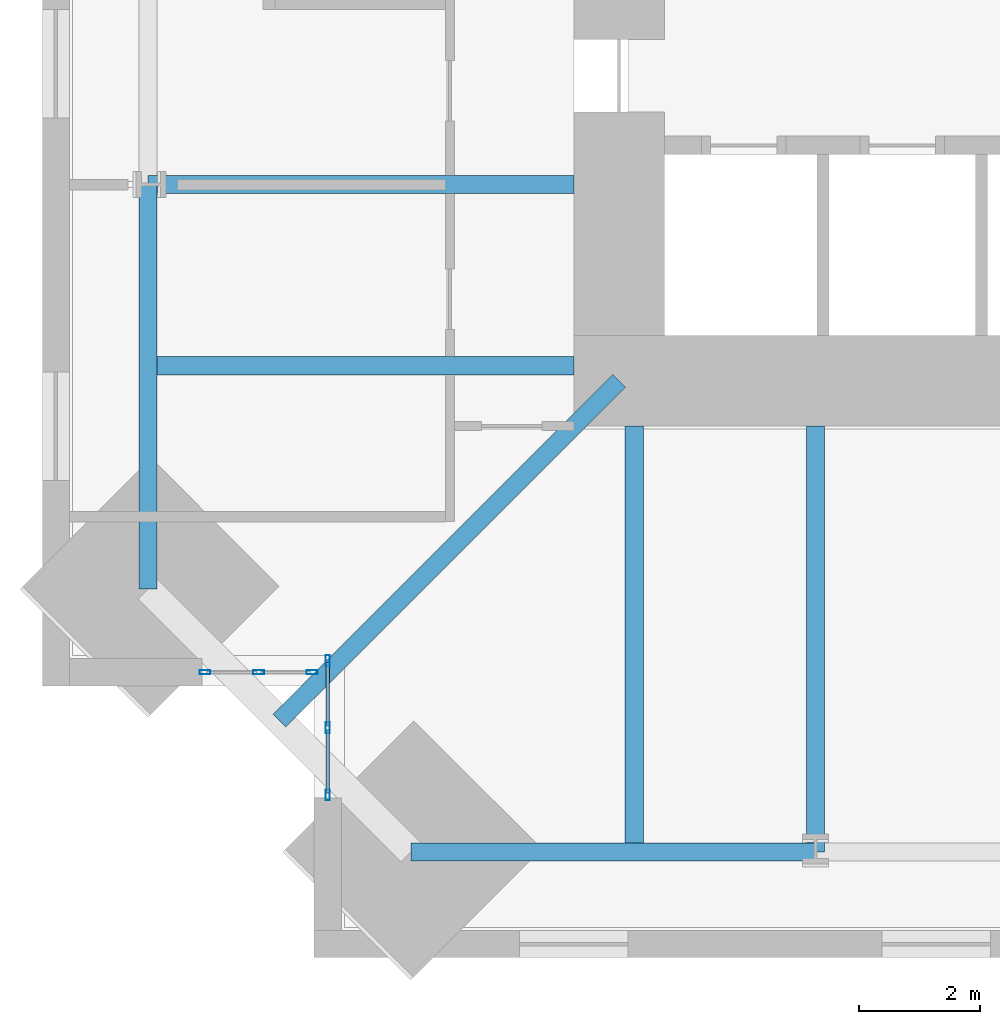
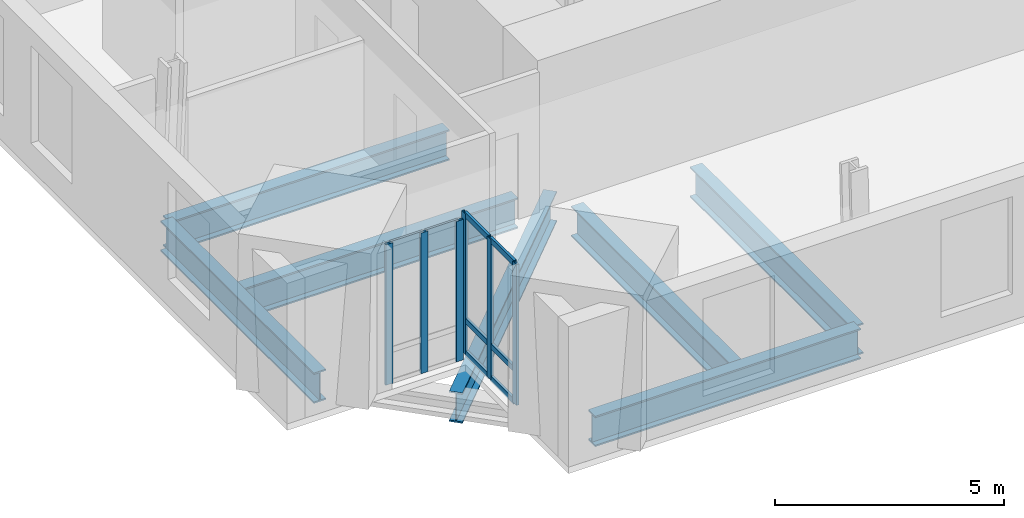
# One storey, part 2 of 15: 12 members, 7 beams, 2 elements without a shape of their own.
"""IFC4 building model written with IfcOpenShell, lengths in metres."""

from ifc_helpers import new_model, si_unit, direction, frame, origin, origin_2d, place, context, subcontext, project, spatial, hollow_rectangle, i_section, extrude, material, material_profile, profile_set, type_object, element, aggregate, save


model = new_model("IFC4")

# Units and contexts
model_context = context("Model", 3, precision=1e-05, world=origin(), true_north=direction((0.0, 1.0)))
body_context = subcontext(model_context, "Body", "Model", "MODEL_VIEW")
ifc_project = project(units=[si_unit("LENGTHUNIT", "METRE"), si_unit("AREAUNIT", "SQUARE_METRE"), si_unit("VOLUMEUNIT", "CUBIC_METRE"), si_unit("PLANEANGLEUNIT", "RADIAN"), si_unit("MASSUNIT", "GRAM", prefix="KILO")], contexts=[model_context])

# Site, building, storey
site_placement = place(None, origin())
site = spatial("IfcSite", under=ifc_project, at=site_placement, CompositionType="ELEMENT")
building_placement = place(site_placement, origin())
building = spatial("IfcBuilding", under=site, at=building_placement, Name="Peilmerk Tower", CompositionType="ELEMENT")
storey_placement = place(building_placement, frame((0.0, 0.0, 293.800048828125)))
storey = spatial("IfcBuildingStorey", under=building, at=storey_placement, Name="L66", CompositionType="ELEMENT", Elevation=293.800048828125)

# Beams
ifc_material_1 = material(Name="Steel S460", Category="steel")
ifc_material_profile_1 = material_profile(ifc_material_1, i_section(OverallWidth=0.302978515625, OverallDepth=0.81396484375, WebThickness=0.02099609375, FlangeThickness=0.0400390625, at=origin_2d()), Name="HEM 800")
ifc_profile_set_1 = profile_set([ifc_material_profile_1], Name="Steel S460")
beam_type_1 = type_object("IfcBeamType", Name="B26 HEM 800 floor beam", PredefinedType="BEAM", material=ifc_profile_set_1)
for number, where, z_axis, x_axis, name in (
    (1, (-11.0, -12.0, -0.5771484375), (0.0, -1.0, 0.0), (1.0, 0.0, 0.0), "Floor beam L66"),
    (2, (-8.0, -12.0, -0.5771484375), (0.0, -1.0, 0.0), (1.0, 0.0, 0.0), "Floor beam L66"),
    (3, (-12.0, -8.0, -0.5771484375), (-1.0, 0.0, 0.0), (0.0, -1.0, 0.0), "Floor beam L66"),
    (4, (-12.0, -11.0, -0.5771484375), (-1.0, 0.0, 0.0), (0.0, -1.0, 0.0), "Floor beam L66"),
):
    element("IfcBeam", number, at=place(storey_placement, frame(where, z_axis=z_axis, x_axis=x_axis)), inside=storey, type_object=beam_type_1, Name=name, PredefinedType="BEAM", context=body_context, shape_type="SweptSolid", body=[
        extrude(i_section(OverallWidth=0.302978515625, OverallDepth=0.81396484375, WebThickness=0.02099609375, FlangeThickness=0.0400390625, at=origin_2d()), origin(), (0.0, 0.0, 1.0), 7.050048828125),
    ])
beam_placement = place(storey_placement, frame((-11.25, -11.25, -0.5771484375), z_axis=(-0.707106781187, -0.707106781187, 0.0), x_axis=(0.707106781187, -0.707106781187, 0.0)))
element("IfcBeam", 5, at=beam_placement, inside=storey, type_object=beam_type_1, Name="Corner girder L66", PredefinedType="BEAM", context=body_context, shape_type="SweptSolid", body=[
    extrude(i_section(OverallWidth=0.302978515625, OverallDepth=0.81396484375, WebThickness=0.02099609375, FlangeThickness=0.0400390625, at=origin_2d()), origin(), (0.0, 0.0, 1.0), 7.954833984375),
])
ifc_material_profile_2 = material_profile(ifc_material_1, i_section(OverallWidth=0.302978515625, OverallDepth=0.81396484375, WebThickness=0.02099609375, FlangeThickness=0.0400390625, at=origin_2d()), Name="HEM 800")
ifc_profile_set_2 = profile_set([ifc_material_profile_2], Name="Steel S460")
beam_type_2 = type_object("IfcBeamType", Name="B35 HEM 800 edge beam", PredefinedType="SPANDREL", material=ifc_profile_set_2)
for number, where, z_axis, x_axis, name in (
    (6, (-14.699951171875, -19.050048828125, -0.5771484375), (1.0, 0.0, 0.0), (0.0, 1.0, 0.0), "Edge beam L66"),
    (7, (-19.050048828125, -8.0, -0.5771484375), (0.0, -1.0, 0.0), (1.0, 0.0, 0.0), "Edge beam L66"),
):
    element("IfcBeam", number, at=place(storey_placement, frame(where, z_axis=z_axis, x_axis=x_axis)), inside=storey, type_object=beam_type_2, Name=name, PredefinedType="SPANDREL", context=body_context, shape_type="SweptSolid", body=[
        extrude(i_section(OverallWidth=0.302978515625, OverallDepth=0.81396484375, WebThickness=0.02099609375, FlangeThickness=0.0400390625, at=origin_2d()), origin(), (0.0, 0.0, 1.0), 6.699951171875),
    ])

# Curtain wall, members
ifc_material_2 = material(Name="Aluminium stick curtain wall", Category="aluminium")
curtain_wall_type = type_object("IfcCurtainWallType", Name="CW4 stick curtain wall, 2250 module", PredefinedType="NOTDEFINED", material=ifc_material_2)
curtain_wall_1_placement = place(storey_placement, origin())
curtain_wall_1 = element("IfcCurtainWall", 8, at=curtain_wall_1_placement, inside=storey, type_object=curtain_wall_type, Name="Curtain wall CW4 SWA L66", PredefinedType="NOTDEFINED")
ifc_material_3 = material(Name="Aluminium EN AW-6063 T6", Category="aluminium")
ifc_material_profile_3 = material_profile(ifc_material_3, hollow_rectangle(XDim=0.06494140625, YDim=0.179931640625, WallThickness=0.0029296875, at=origin_2d()), Name="AL 180x65x3")
ifc_profile_set_3 = profile_set([ifc_material_profile_3], Name="Aluminium EN AW-6063 T6")
member_type_1 = type_object("IfcMemberType", Name="CW4-M AL 180x65x3 mullion", PredefinedType="MULLION", material=ifc_profile_set_3)
member_1_placement = place(storey_placement, frame((-16.074951171875, -15.882568359375, 0.0), z_axis=(0.0, 0.0, 1.0), x_axis=(1.0, 0.0, 0.0)))
member_1 = element("IfcMember", 9, at=member_1_placement, type_object=member_type_1, Name="CW4 mullion 1", PredefinedType="MULLION", context=body_context, shape_type="SweptSolid", body=[
    extrude(hollow_rectangle(XDim=0.06494140625, YDim=0.179931640625, WallThickness=0.0029296875, at=origin_2d()), origin(), (0.0, 0.0, 1.0), 3.75),
])
member_2_placement = place(storey_placement, frame((-16.074951171875, -16.994384765625, 0.0), z_axis=(0.0, 0.0, 1.0), x_axis=(1.0, 0.0, 0.0)))
member_2 = element("IfcMember", 10, at=member_2_placement, type_object=member_type_1, Name="CW4 mullion 2", PredefinedType="MULLION", context=body_context, shape_type="SweptSolid", body=[
    extrude(hollow_rectangle(XDim=0.06494140625, YDim=0.179931640625, WallThickness=0.0029296875, at=origin_2d()), origin(), (0.0, 0.0, 1.0), 3.75),
])
member_3_placement = place(storey_placement, frame((-16.074951171875, -18.106201171875, 0.0), z_axis=(0.0, 0.0, 1.0), x_axis=(1.0, 0.0, 0.0)))
member_3 = element("IfcMember", 11, at=member_3_placement, type_object=member_type_1, Name="CW4 mullion 3", PredefinedType="MULLION", context=body_context, shape_type="SweptSolid", body=[
    extrude(hollow_rectangle(XDim=0.06494140625, YDim=0.179931640625, WallThickness=0.0029296875, at=origin_2d()), origin(), (0.0, 0.0, 1.0), 3.75),
])

curtain_wall_2_placement = place(storey_placement, origin())
curtain_wall_2 = element("IfcCurtainWall", 12, at=curtain_wall_2_placement, inside=storey, type_object=curtain_wall_type, Name="Curtain wall CW4 SWB L66", PredefinedType="NOTDEFINED")
member_4_placement = place(storey_placement, frame((-16.33251953125, -16.074951171875, 0.0), z_axis=(0.0, 0.0, 1.0), x_axis=(0.0, -1.0, 0.0)))
member_4 = element("IfcMember", 13, at=member_4_placement, type_object=member_type_1, Name="CW4 mullion 1", PredefinedType="MULLION", context=body_context, shape_type="SweptSolid", body=[
    extrude(hollow_rectangle(XDim=0.06494140625, YDim=0.179931640625, WallThickness=0.0029296875, at=origin_2d()), origin(), (0.0, 0.0, 1.0), 3.75),
])
member_5_placement = place(storey_placement, frame((-17.21923828125, -16.074951171875, 0.0), z_axis=(0.0, 0.0, 1.0), x_axis=(0.0, -1.0, 0.0)))
member_5 = element("IfcMember", 14, at=member_5_placement, type_object=member_type_1, Name="CW4 mullion 2", PredefinedType="MULLION", context=body_context, shape_type="SweptSolid", body=[
    extrude(hollow_rectangle(XDim=0.06494140625, YDim=0.179931640625, WallThickness=0.0029296875, at=origin_2d()), origin(), (0.0, 0.0, 1.0), 3.75),
])
member_6_placement = place(storey_placement, frame((-18.106201171875, -16.074951171875, 0.0), z_axis=(0.0, 0.0, 1.0), x_axis=(0.0, -1.0, 0.0)))
member_6 = element("IfcMember", 15, at=member_6_placement, type_object=member_type_1, Name="CW4 mullion 3", PredefinedType="MULLION", context=body_context, shape_type="SweptSolid", body=[
    extrude(hollow_rectangle(XDim=0.06494140625, YDim=0.179931640625, WallThickness=0.0029296875, at=origin_2d()), origin(), (0.0, 0.0, 1.0), 3.75),
])
aggregate(curtain_wall_2, [member_4, member_5, member_6])

# Member
ifc_material_profile_4 = material_profile(ifc_material_3, hollow_rectangle(XDim=0.06494140625, YDim=0.14990234375, WallThickness=0.0029296875, at=origin_2d()), Name="AL 150x65x3")
ifc_profile_set_4 = profile_set([ifc_material_profile_4], Name="Aluminium EN AW-6063 T6")
member_type_2 = type_object("IfcMemberType", Name="CW4-T AL 150x65x3 transom", PredefinedType="USERDEFINED", material=ifc_profile_set_4)
member_7_placement = place(storey_placement, frame((-16.074951171875, -15.9150390625, 0.032470703125), z_axis=(0.0, -1.0, 0.0), x_axis=(1.0, 0.0, 0.0)))
member_7 = element("IfcMember", 16, at=member_7_placement, type_object=member_type_2, Name="CW4 transom 1.1", ObjectType="TRANSOM", PredefinedType="USERDEFINED", context=body_context, shape_type="SweptSolid", body=[
    extrude(hollow_rectangle(XDim=0.06494140625, YDim=0.14990234375, WallThickness=0.0029296875, at=origin_2d()), origin(), (0.0, 0.0, 1.0), 1.046875),
])

member_8_placement = place(storey_placement, frame((-16.074951171875, -15.9150390625, 0.89990234375), z_axis=(0.0, -1.0, 0.0), x_axis=(1.0, 0.0, 0.0)))
member_8 = element("IfcMember", 17, at=member_8_placement, type_object=member_type_2, Name="CW4 transom 1.2", ObjectType="TRANSOM", PredefinedType="USERDEFINED", context=body_context, shape_type="SweptSolid", body=[
    extrude(hollow_rectangle(XDim=0.06494140625, YDim=0.14990234375, WallThickness=0.0029296875, at=origin_2d()), origin(), (0.0, 0.0, 1.0), 1.046875),
])

member_9_placement = place(storey_placement, frame((-16.074951171875, -15.9150390625, 3.717529296875), z_axis=(0.0, -1.0, 0.0), x_axis=(1.0, 0.0, 0.0)))
member_9 = element("IfcMember", 18, at=member_9_placement, type_object=member_type_2, Name="CW4 transom 1.3", ObjectType="TRANSOM", PredefinedType="USERDEFINED", context=body_context, shape_type="SweptSolid", body=[
    extrude(hollow_rectangle(XDim=0.06494140625, YDim=0.14990234375, WallThickness=0.0029296875, at=origin_2d()), origin(), (0.0, 0.0, 1.0), 1.046875),
])

member_10_placement = place(storey_placement, frame((-16.074951171875, -17.02685546875, 0.032470703125), z_axis=(0.0, -1.0, 0.0), x_axis=(1.0, 0.0, 0.0)))
member_10 = element("IfcMember", 19, at=member_10_placement, type_object=member_type_2, Name="CW4 transom 2.1", ObjectType="TRANSOM", PredefinedType="USERDEFINED", context=body_context, shape_type="SweptSolid", body=[
    extrude(hollow_rectangle(XDim=0.06494140625, YDim=0.14990234375, WallThickness=0.0029296875, at=origin_2d()), origin(), (0.0, 0.0, 1.0), 1.046875),
])

member_11_placement = place(storey_placement, frame((-16.074951171875, -17.02685546875, 0.89990234375), z_axis=(0.0, -1.0, 0.0), x_axis=(1.0, 0.0, 0.0)))
member_11 = element("IfcMember", 20, at=member_11_placement, type_object=member_type_2, Name="CW4 transom 2.2", ObjectType="TRANSOM", PredefinedType="USERDEFINED", context=body_context, shape_type="SweptSolid", body=[
    extrude(hollow_rectangle(XDim=0.06494140625, YDim=0.14990234375, WallThickness=0.0029296875, at=origin_2d()), origin(), (0.0, 0.0, 1.0), 1.046875),
])

member_12_placement = place(storey_placement, frame((-16.074951171875, -17.02685546875, 3.717529296875), z_axis=(0.0, -1.0, 0.0), x_axis=(1.0, 0.0, 0.0)))
member_12 = element("IfcMember", 21, at=member_12_placement, type_object=member_type_2, Name="CW4 transom 2.3", ObjectType="TRANSOM", PredefinedType="USERDEFINED", context=body_context, shape_type="SweptSolid", body=[
    extrude(hollow_rectangle(XDim=0.06494140625, YDim=0.14990234375, WallThickness=0.0029296875, at=origin_2d()), origin(), (0.0, 0.0, 1.0), 1.046875),
])

aggregate(curtain_wall_1, [member_1, member_2, member_3, member_7, member_8, member_9, member_10, member_11, member_12])

save(model, "model.ifc")
